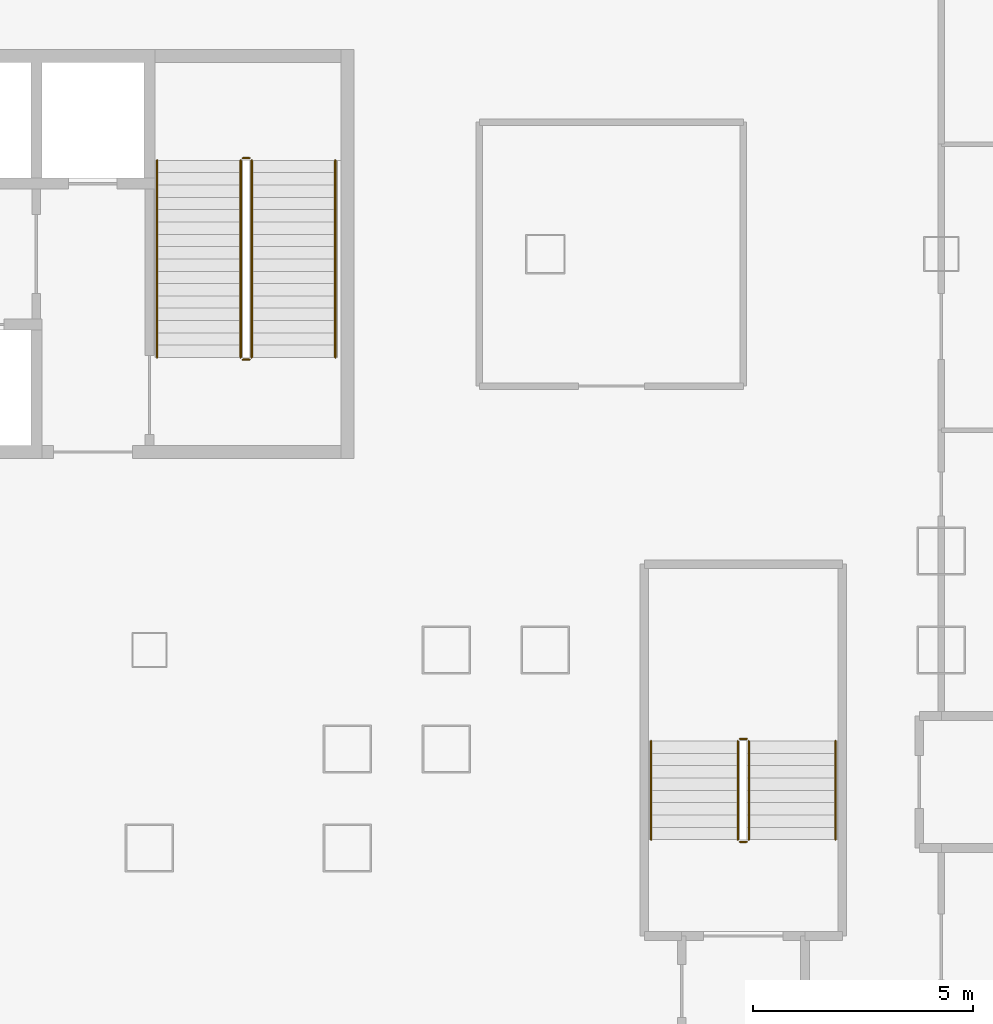
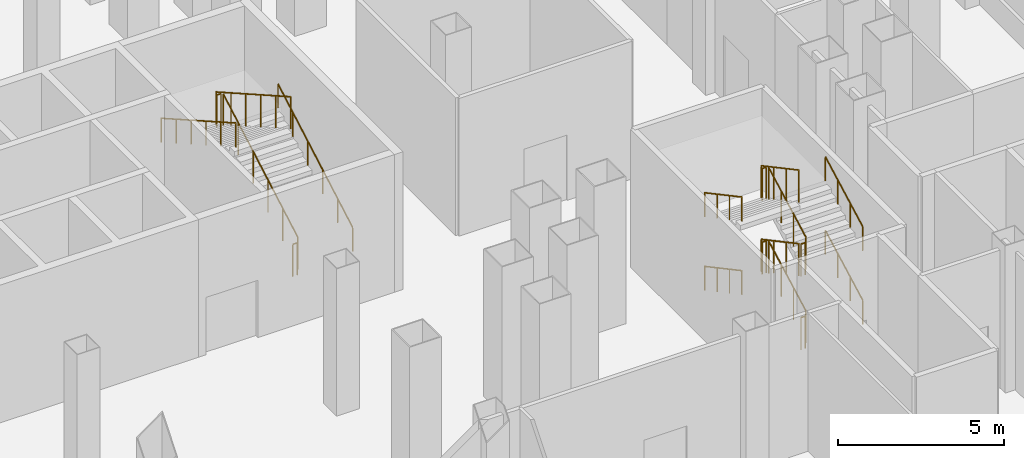
# One storey, part 24 of 27: 18 railings.
"""IFC4 building model written with IfcOpenShell, lengths in metres."""

from ifc_helpers import new_model, si_unit, direction, frame, origin, origin_2d, place, context, subcontext, project, spatial, circle, extrude, material, type_object, element, save


model = new_model("IFC4")

# Units and contexts
model_context = context("Model", 3, precision=1e-05, world=origin(), true_north=direction((0.0, 1.0)))
body_context = subcontext(model_context, "Body", "Model", "MODEL_VIEW")
ifc_project = project(units=[si_unit("LENGTHUNIT", "METRE"), si_unit("AREAUNIT", "SQUARE_METRE"), si_unit("VOLUMEUNIT", "CUBIC_METRE"), si_unit("PLANEANGLEUNIT", "RADIAN"), si_unit("MASSUNIT", "GRAM", prefix="KILO")], contexts=[model_context])

# Site, building, storey
site_placement = place(None, origin())
site = spatial("IfcSite", under=ifc_project, at=site_placement, CompositionType="ELEMENT")
building_placement = place(site_placement, origin())
building = spatial("IfcBuilding", under=site, at=building_placement, Name="Caravel Reach Hotel and Residences", CompositionType="ELEMENT")
storey_placement = place(building_placement, frame((0.0, 0.0, 6.60009765625)))
storey = spatial("IfcBuildingStorey", under=building, at=storey_placement, Name="L01", CompositionType="ELEMENT", Elevation=6.60009765625)

# Railings
ifc_material_1 = material(Name="Steel balustrade with glass infill", Category="steel")
railing_type_1 = type_object("IfcRailingType", Name="Guard 1200", PredefinedType="GUARDRAIL", material=ifc_material_1)
railing_1_placement = place(storey_placement, frame((42.824951171875, 24.64990234375, 0.15869140625)))
element("IfcRailing", 1, at=railing_1_placement, inside=storey, type_object=railing_type_1, Name="L01 ST-B stair guard 1", PredefinedType="GUARDRAIL", context=body_context, shape_type="SweptSolid", body=[
    extrude(circle(Radius=0.02392578125, at=origin_2d()), frame((0.0, 0.0, 1.17578125), z_axis=(0.0, 0.869805229919, 0.49339523914), x_axis=(-1.0, 0.0, 0.0)), (0.0, 0.0, 1.0), 5.150634765625),
    extrude(circle(Radius=0.02099609375, at=origin_2d()), origin(), (0.0, 0.0, 1.0), 1.15185546875),
    extrude(circle(Radius=0.02099609375, at=origin_2d()), frame((0.0, 0.89599609375, 0.50830078125)), (0.0, 0.0, 1.0), 1.15185546875),
    extrude(circle(Radius=0.02099609375, at=origin_2d()), frame((0.0, 1.7919921875, 1.0166015625)), (0.0, 0.0, 1.0), 1.15185546875),
    extrude(circle(Radius=0.02099609375, at=origin_2d()), frame((0.0, 2.68798828125, 1.524658203125)), (0.0, 0.0, 1.0), 1.15185546875),
    extrude(circle(Radius=0.02099609375, at=origin_2d()), frame((0.0, 3.583984375, 2.032958984375)), (0.0, 0.0, 1.0), 1.15185546875),
    extrude(circle(Radius=0.02099609375, at=origin_2d()), frame((0.0, 4.47998046875, 2.541259765625)), (0.0, 0.0, 1.0), 1.15185546875),
])
railing_2_placement = place(storey_placement, frame((42.77490234375, 29.179931640625, 2.699951171875)))
element("IfcRailing", 2, at=railing_2_placement, inside=storey, type_object=railing_type_1, Name="L01 ST-B stair guard 2", PredefinedType="GUARDRAIL", context=body_context, shape_type="SweptSolid", body=[
    extrude(circle(Radius=0.02392578125, at=origin_2d()), frame((0.0, 0.0, 1.17578125), z_axis=(-1.0, 0.0, 0.0), x_axis=(0.0, -1.0, 0.0)), (0.0, 0.0, 1.0), 0.14990234375),
    extrude(circle(Radius=0.02099609375, at=origin_2d()), origin(), (0.0, 0.0, 1.0), 1.15185546875),
    extrude(circle(Radius=0.02099609375, at=origin_2d()), frame((-0.14990234375, 0.0, 0.0)), (0.0, 0.0, 1.0), 1.15185546875),
])
railing_3_placement = place(storey_placement, frame((42.574951171875, 29.1298828125, 2.858642578125)))
element("IfcRailing", 3, at=railing_3_placement, inside=storey, type_object=railing_type_1, Name="L01 ST-B stair guard 3", PredefinedType="GUARDRAIL", context=body_context, shape_type="SweptSolid", body=[
    extrude(circle(Radius=0.02392578125, at=origin_2d()), frame((0.0, 0.0, 1.17578125), z_axis=(0.0, -0.869805229919, 0.49339523914), x_axis=(1.0, 0.0, 0.0)), (0.0, 0.0, 1.0), 5.150634765625),
    extrude(circle(Radius=0.02099609375, at=origin_2d()), origin(), (0.0, 0.0, 1.0), 1.15185546875),
    extrude(circle(Radius=0.02099609375, at=origin_2d()), frame((0.0, -0.89599609375, 0.50830078125)), (0.0, 0.0, 1.0), 1.15185546875),
    extrude(circle(Radius=0.02099609375, at=origin_2d()), frame((0.0, -1.7919921875, 1.0166015625)), (0.0, 0.0, 1.0), 1.15185546875),
    extrude(circle(Radius=0.02099609375, at=origin_2d()), frame((0.0, -2.68798828125, 1.524658203125)), (0.0, 0.0, 1.0), 1.15185546875),
    extrude(circle(Radius=0.02099609375, at=origin_2d()), frame((0.0, -3.583984375, 2.032958984375)), (0.0, 0.0, 1.0), 1.15185546875),
    extrude(circle(Radius=0.02099609375, at=origin_2d()), frame((0.0, -4.47998046875, 2.541259765625)), (0.0, 0.0, 1.0), 1.15185546875),
])
railing_4_placement = place(storey_placement, frame((42.77490234375, 24.60009765625, 0.0)))
element("IfcRailing", 4, at=railing_4_placement, inside=storey, type_object=railing_type_1, Name="L01 ST-B stair guard 4", PredefinedType="GUARDRAIL", context=body_context, shape_type="SweptSolid", body=[
    extrude(circle(Radius=0.02392578125, at=origin_2d()), frame((0.0, 0.0, 1.17578125), z_axis=(-1.0, 0.0, 0.0), x_axis=(0.0, -1.0, 0.0)), (0.0, 0.0, 1.0), 0.14990234375),
    extrude(circle(Radius=0.02099609375, at=origin_2d()), origin(), (0.0, 0.0, 1.0), 1.15185546875),
    extrude(circle(Radius=0.02099609375, at=origin_2d()), frame((-0.14990234375, 0.0, 0.0)), (0.0, 0.0, 1.0), 1.15185546875),
])
railing_5_placement = place(storey_placement, frame((54.125, 13.68994140625, 0.14990234375)))
element("IfcRailing", 5, at=railing_5_placement, inside=storey, type_object=railing_type_1, Name="L01 ST-P4 stair guard 1", PredefinedType="GUARDRAIL", context=body_context, shape_type="SweptSolid", body=[
    extrude(circle(Radius=0.02392578125, at=origin_2d()), frame((0.0, 0.0, 1.17578125), z_axis=(0.0, 0.881487111273, 0.472208081951), x_axis=(-1.0, 0.0, 0.0)), (0.0, 0.0, 1.0), 2.541259765625),
    extrude(circle(Radius=0.02099609375, at=origin_2d()), origin(), (0.0, 0.0, 1.0), 1.15185546875),
    extrude(circle(Radius=0.02099609375, at=origin_2d()), frame((0.0, 0.74658203125, 0.39990234375)), (0.0, 0.0, 1.0), 1.15185546875),
    extrude(circle(Radius=0.02099609375, at=origin_2d()), frame((0.0, 1.493408203125, 0.800048828125)), (0.0, 0.0, 1.0), 1.15185546875),
    extrude(circle(Radius=0.02099609375, at=origin_2d()), frame((0.0, 2.239990234375, 1.199951171875)), (0.0, 0.0, 1.0), 1.15185546875),
])
railing_6_placement = place(storey_placement, frame((54.074951171875, 15.97998046875, 1.349853515625)))
element("IfcRailing", 6, at=railing_6_placement, inside=storey, type_object=railing_type_1, Name="L01 ST-P4 stair guard 2", PredefinedType="GUARDRAIL", context=body_context, shape_type="SweptSolid", body=[
    extrude(circle(Radius=0.02392578125, at=origin_2d()), frame((0.0, 0.0, 1.17578125), z_axis=(-1.0, 0.0, 0.0), x_axis=(0.0, -1.0, 0.0)), (0.0, 0.0, 1.0), 0.14990234375),
    extrude(circle(Radius=0.02099609375, at=origin_2d()), origin(), (0.0, 0.0, 1.0), 1.15185546875),
    extrude(circle(Radius=0.02099609375, at=origin_2d()), frame((-0.14990234375, 0.0, 0.0)), (0.0, 0.0, 1.0), 1.15185546875),
])
railing_7_placement = place(storey_placement, frame((53.875, 15.929931640625, 1.5)))
element("IfcRailing", 7, at=railing_7_placement, inside=storey, type_object=railing_type_1, Name="L01 ST-P4 stair guard 3", PredefinedType="GUARDRAIL", context=body_context, shape_type="SweptSolid", body=[
    extrude(circle(Radius=0.02392578125, at=origin_2d()), frame((0.0, 0.0, 1.17578125), z_axis=(0.0, -0.881487111273, 0.472208081951), x_axis=(1.0, 0.0, 0.0)), (0.0, 0.0, 1.0), 2.541259765625),
    extrude(circle(Radius=0.02099609375, at=origin_2d()), origin(), (0.0, 0.0, 1.0), 1.15185546875),
    extrude(circle(Radius=0.02099609375, at=origin_2d()), frame((0.0, -0.74658203125, 0.39990234375)), (0.0, 0.0, 1.0), 1.15185546875),
    extrude(circle(Radius=0.02099609375, at=origin_2d()), frame((0.0, -1.493408203125, 0.800048828125)), (0.0, 0.0, 1.0), 1.15185546875),
    extrude(circle(Radius=0.02099609375, at=origin_2d()), frame((0.0, -2.239990234375, 1.199951171875)), (0.0, 0.0, 1.0), 1.15185546875),
])
railing_8_placement = place(storey_placement, frame((54.074951171875, 13.639892578125, 2.699951171875)))
element("IfcRailing", 8, at=railing_8_placement, inside=storey, type_object=railing_type_1, Name="L01 ST-P4 stair guard 4", PredefinedType="GUARDRAIL", context=body_context, shape_type="SweptSolid", body=[
    extrude(circle(Radius=0.02392578125, at=origin_2d()), frame((0.0, 0.0, 1.17578125), z_axis=(-1.0, 0.0, 0.0), x_axis=(0.0, -1.0, 0.0)), (0.0, 0.0, 1.0), 0.14990234375),
    extrude(circle(Radius=0.02099609375, at=origin_2d()), origin(), (0.0, 0.0, 1.0), 1.15185546875),
    extrude(circle(Radius=0.02099609375, at=origin_2d()), frame((-0.14990234375, 0.0, 0.0)), (0.0, 0.0, 1.0), 1.15185546875),
])
railing_9_placement = place(storey_placement, frame((54.125, 13.68994140625, 2.849853515625)))
element("IfcRailing", 9, at=railing_9_placement, inside=storey, type_object=railing_type_1, Name="L01 ST-P4 stair guard 5", PredefinedType="GUARDRAIL", context=body_context, shape_type="SweptSolid", body=[
    extrude(circle(Radius=0.02392578125, at=origin_2d()), frame((0.0, 0.0, 1.17578125), z_axis=(0.0, 0.881487111273, 0.472208081951), x_axis=(-1.0, 0.0, 0.0)), (0.0, 0.0, 1.0), 2.541259765625),
    extrude(circle(Radius=0.02099609375, at=origin_2d()), origin(), (0.0, 0.0, 1.0), 1.15185546875),
    extrude(circle(Radius=0.02099609375, at=origin_2d()), frame((0.0, 0.74658203125, 0.39990234375)), (0.0, 0.0, 1.0), 1.15185546875),
    extrude(circle(Radius=0.02099609375, at=origin_2d()), frame((0.0, 1.493408203125, 0.800048828125)), (0.0, 0.0, 1.0), 1.15185546875),
    extrude(circle(Radius=0.02099609375, at=origin_2d()), frame((0.0, 2.239990234375, 1.199951171875)), (0.0, 0.0, 1.0), 1.15185546875),
])
railing_10_placement = place(storey_placement, frame((54.074951171875, 15.97998046875, 4.0498046875)))
element("IfcRailing", 10, at=railing_10_placement, inside=storey, type_object=railing_type_1, Name="L01 ST-P4 stair guard 6", PredefinedType="GUARDRAIL", context=body_context, shape_type="SweptSolid", body=[
    extrude(circle(Radius=0.02392578125, at=origin_2d()), frame((0.0, 0.0, 1.17578125), z_axis=(-1.0, 0.0, 0.0), x_axis=(0.0, -1.0, 0.0)), (0.0, 0.0, 1.0), 0.14990234375),
    extrude(circle(Radius=0.02099609375, at=origin_2d()), origin(), (0.0, 0.0, 1.0), 1.15185546875),
    extrude(circle(Radius=0.02099609375, at=origin_2d()), frame((-0.14990234375, 0.0, 0.0)), (0.0, 0.0, 1.0), 1.15185546875),
])
railing_11_placement = place(storey_placement, frame((53.875, 15.929931640625, 4.199951171875)))
element("IfcRailing", 11, at=railing_11_placement, inside=storey, type_object=railing_type_1, Name="L01 ST-P4 stair guard 7", PredefinedType="GUARDRAIL", context=body_context, shape_type="SweptSolid", body=[
    extrude(circle(Radius=0.02392578125, at=origin_2d()), frame((0.0, 0.0, 1.17578125), z_axis=(0.0, -0.881487111273, 0.472208081951), x_axis=(1.0, 0.0, 0.0)), (0.0, 0.0, 1.0), 2.541259765625),
    extrude(circle(Radius=0.02099609375, at=origin_2d()), origin(), (0.0, 0.0, 1.0), 1.15185546875),
    extrude(circle(Radius=0.02099609375, at=origin_2d()), frame((0.0, -0.74658203125, 0.39990234375)), (0.0, 0.0, 1.0), 1.15185546875),
    extrude(circle(Radius=0.02099609375, at=origin_2d()), frame((0.0, -1.493408203125, 0.800048828125)), (0.0, 0.0, 1.0), 1.15185546875),
    extrude(circle(Radius=0.02099609375, at=origin_2d()), frame((0.0, -2.239990234375, 1.199951171875)), (0.0, 0.0, 1.0), 1.15185546875),
])
railing_12_placement = place(storey_placement, frame((54.074951171875, 13.639892578125, 0.0)))
element("IfcRailing", 12, at=railing_12_placement, inside=storey, type_object=railing_type_1, Name="L01 ST-P4 stair guard 8", PredefinedType="GUARDRAIL", context=body_context, shape_type="SweptSolid", body=[
    extrude(circle(Radius=0.02392578125, at=origin_2d()), frame((0.0, 0.0, 1.17578125), z_axis=(-1.0, 0.0, 0.0), x_axis=(0.0, -1.0, 0.0)), (0.0, 0.0, 1.0), 0.14990234375),
    extrude(circle(Radius=0.02099609375, at=origin_2d()), origin(), (0.0, 0.0, 1.0), 1.15185546875),
    extrude(circle(Radius=0.02099609375, at=origin_2d()), frame((-0.14990234375, 0.0, 0.0)), (0.0, 0.0, 1.0), 1.15185546875),
])
ifc_material_2 = material(Name="Stainless steel handrail", Category="steel")
railing_type_2 = type_object("IfcRailingType", Name="Handrail 900", PredefinedType="HANDRAIL", material=ifc_material_2)
railing_13_placement = place(storey_placement, frame((44.72509765625, 24.64990234375, 0.15869140625)))
element("IfcRailing", 13, at=railing_13_placement, inside=storey, type_object=railing_type_2, Name="L01 ST-B stair handrail 1", PredefinedType="HANDRAIL", context=body_context, shape_type="SweptSolid", body=[
    extrude(circle(Radius=0.02392578125, at=origin_2d()), frame((0.0, 0.0, 0.8759765625), z_axis=(0.0, 0.869805229919, 0.49339523914), x_axis=(-1.0, 0.0, 0.0)), (0.0, 0.0, 1.0), 5.150634765625),
    extrude(circle(Radius=0.02099609375, at=origin_2d()), origin(), (0.0, 0.0, 1.0), 0.851806640625),
    extrude(circle(Radius=0.02099609375, at=origin_2d()), frame((0.0, 0.89599609375, 0.50830078125)), (0.0, 0.0, 1.0), 0.851806640625),
    extrude(circle(Radius=0.02099609375, at=origin_2d()), frame((0.0, 1.7919921875, 1.0166015625)), (0.0, 0.0, 1.0), 0.851806640625),
    extrude(circle(Radius=0.02099609375, at=origin_2d()), frame((0.0, 2.68798828125, 1.524658203125)), (0.0, 0.0, 1.0), 0.851806640625),
    extrude(circle(Radius=0.02099609375, at=origin_2d()), frame((0.0, 3.583984375, 2.032958984375)), (0.0, 0.0, 1.0), 0.851806640625),
    extrude(circle(Radius=0.02099609375, at=origin_2d()), frame((0.0, 4.47998046875, 2.541259765625)), (0.0, 0.0, 1.0), 0.851806640625),
])
railing_14_placement = place(storey_placement, frame((40.675048828125, 29.1298828125, 2.858642578125)))
element("IfcRailing", 14, at=railing_14_placement, inside=storey, type_object=railing_type_2, Name="L01 ST-B stair handrail 2", PredefinedType="HANDRAIL", context=body_context, shape_type="SweptSolid", body=[
    extrude(circle(Radius=0.02392578125, at=origin_2d()), frame((0.0, 0.0, 0.8759765625), z_axis=(0.0, -0.869805229919, 0.49339523914), x_axis=(1.0, 0.0, 0.0)), (0.0, 0.0, 1.0), 5.150634765625),
    extrude(circle(Radius=0.02099609375, at=origin_2d()), origin(), (0.0, 0.0, 1.0), 0.851806640625),
    extrude(circle(Radius=0.02099609375, at=origin_2d()), frame((0.0, -0.89599609375, 0.50830078125)), (0.0, 0.0, 1.0), 0.851806640625),
    extrude(circle(Radius=0.02099609375, at=origin_2d()), frame((0.0, -1.7919921875, 1.0166015625)), (0.0, 0.0, 1.0), 0.851806640625),
    extrude(circle(Radius=0.02099609375, at=origin_2d()), frame((0.0, -2.68798828125, 1.524658203125)), (0.0, 0.0, 1.0), 0.851806640625),
    extrude(circle(Radius=0.02099609375, at=origin_2d()), frame((0.0, -3.583984375, 2.032958984375)), (0.0, 0.0, 1.0), 0.851806640625),
    extrude(circle(Radius=0.02099609375, at=origin_2d()), frame((0.0, -4.47998046875, 2.541259765625)), (0.0, 0.0, 1.0), 0.851806640625),
])
railing_15_placement = place(storey_placement, frame((56.094970703125, 13.68994140625, 0.14990234375)))
element("IfcRailing", 15, at=railing_15_placement, inside=storey, type_object=railing_type_2, Name="L01 ST-P4 stair handrail 1", PredefinedType="HANDRAIL", context=body_context, shape_type="SweptSolid", body=[
    extrude(circle(Radius=0.02392578125, at=origin_2d()), frame((0.0, 0.0, 0.8759765625), z_axis=(0.0, 0.881487111273, 0.472208081951), x_axis=(-1.0, 0.0, 0.0)), (0.0, 0.0, 1.0), 2.541259765625),
    extrude(circle(Radius=0.02099609375, at=origin_2d()), origin(), (0.0, 0.0, 1.0), 0.851806640625),
    extrude(circle(Radius=0.02099609375, at=origin_2d()), frame((0.0, 0.74658203125, 0.39990234375)), (0.0, 0.0, 1.0), 0.851806640625),
    extrude(circle(Radius=0.02099609375, at=origin_2d()), frame((0.0, 1.493408203125, 0.800048828125)), (0.0, 0.0, 1.0), 0.851806640625),
    extrude(circle(Radius=0.02099609375, at=origin_2d()), frame((0.0, 2.239990234375, 1.199951171875)), (0.0, 0.0, 1.0), 0.851806640625),
])
railing_16_placement = place(storey_placement, frame((51.905029296875, 15.929931640625, 1.5)))
element("IfcRailing", 16, at=railing_16_placement, inside=storey, type_object=railing_type_2, Name="L01 ST-P4 stair handrail 2", PredefinedType="HANDRAIL", context=body_context, shape_type="SweptSolid", body=[
    extrude(circle(Radius=0.02392578125, at=origin_2d()), frame((0.0, 0.0, 0.8759765625), z_axis=(0.0, -0.881487111273, 0.472208081951), x_axis=(1.0, 0.0, 0.0)), (0.0, 0.0, 1.0), 2.541259765625),
    extrude(circle(Radius=0.02099609375, at=origin_2d()), origin(), (0.0, 0.0, 1.0), 0.851806640625),
    extrude(circle(Radius=0.02099609375, at=origin_2d()), frame((0.0, -0.74658203125, 0.39990234375)), (0.0, 0.0, 1.0), 0.851806640625),
    extrude(circle(Radius=0.02099609375, at=origin_2d()), frame((0.0, -1.493408203125, 0.800048828125)), (0.0, 0.0, 1.0), 0.851806640625),
    extrude(circle(Radius=0.02099609375, at=origin_2d()), frame((0.0, -2.239990234375, 1.199951171875)), (0.0, 0.0, 1.0), 0.851806640625),
])
railing_17_placement = place(storey_placement, frame((56.094970703125, 13.68994140625, 2.849853515625)))
element("IfcRailing", 17, at=railing_17_placement, inside=storey, type_object=railing_type_2, Name="L01 ST-P4 stair handrail 3", PredefinedType="HANDRAIL", context=body_context, shape_type="SweptSolid", body=[
    extrude(circle(Radius=0.02392578125, at=origin_2d()), frame((0.0, 0.0, 0.8759765625), z_axis=(0.0, 0.881487111273, 0.472208081951), x_axis=(-1.0, 0.0, 0.0)), (0.0, 0.0, 1.0), 2.541259765625),
    extrude(circle(Radius=0.02099609375, at=origin_2d()), origin(), (0.0, 0.0, 1.0), 0.851806640625),
    extrude(circle(Radius=0.02099609375, at=origin_2d()), frame((0.0, 0.74658203125, 0.39990234375)), (0.0, 0.0, 1.0), 0.851806640625),
    extrude(circle(Radius=0.02099609375, at=origin_2d()), frame((0.0, 1.493408203125, 0.800048828125)), (0.0, 0.0, 1.0), 0.851806640625),
    extrude(circle(Radius=0.02099609375, at=origin_2d()), frame((0.0, 2.239990234375, 1.199951171875)), (0.0, 0.0, 1.0), 0.851806640625),
])
railing_18_placement = place(storey_placement, frame((51.905029296875, 15.929931640625, 4.199951171875)))
element("IfcRailing", 18, at=railing_18_placement, inside=storey, type_object=railing_type_2, Name="L01 ST-P4 stair handrail 4", PredefinedType="HANDRAIL", context=body_context, shape_type="SweptSolid", body=[
    extrude(circle(Radius=0.02392578125, at=origin_2d()), frame((0.0, 0.0, 0.8759765625), z_axis=(0.0, -0.881487111273, 0.472208081951), x_axis=(1.0, 0.0, 0.0)), (0.0, 0.0, 1.0), 2.541259765625),
    extrude(circle(Radius=0.02099609375, at=origin_2d()), origin(), (0.0, 0.0, 1.0), 0.851806640625),
    extrude(circle(Radius=0.02099609375, at=origin_2d()), frame((0.0, -0.74658203125, 0.39990234375)), (0.0, 0.0, 1.0), 0.851806640625),
    extrude(circle(Radius=0.02099609375, at=origin_2d()), frame((0.0, -1.493408203125, 0.800048828125)), (0.0, 0.0, 1.0), 0.851806640625),
    extrude(circle(Radius=0.02099609375, at=origin_2d()), frame((0.0, -2.239990234375, 1.199951171875)), (0.0, 0.0, 1.0), 0.851806640625),
])

save(model, "model.ifc")
